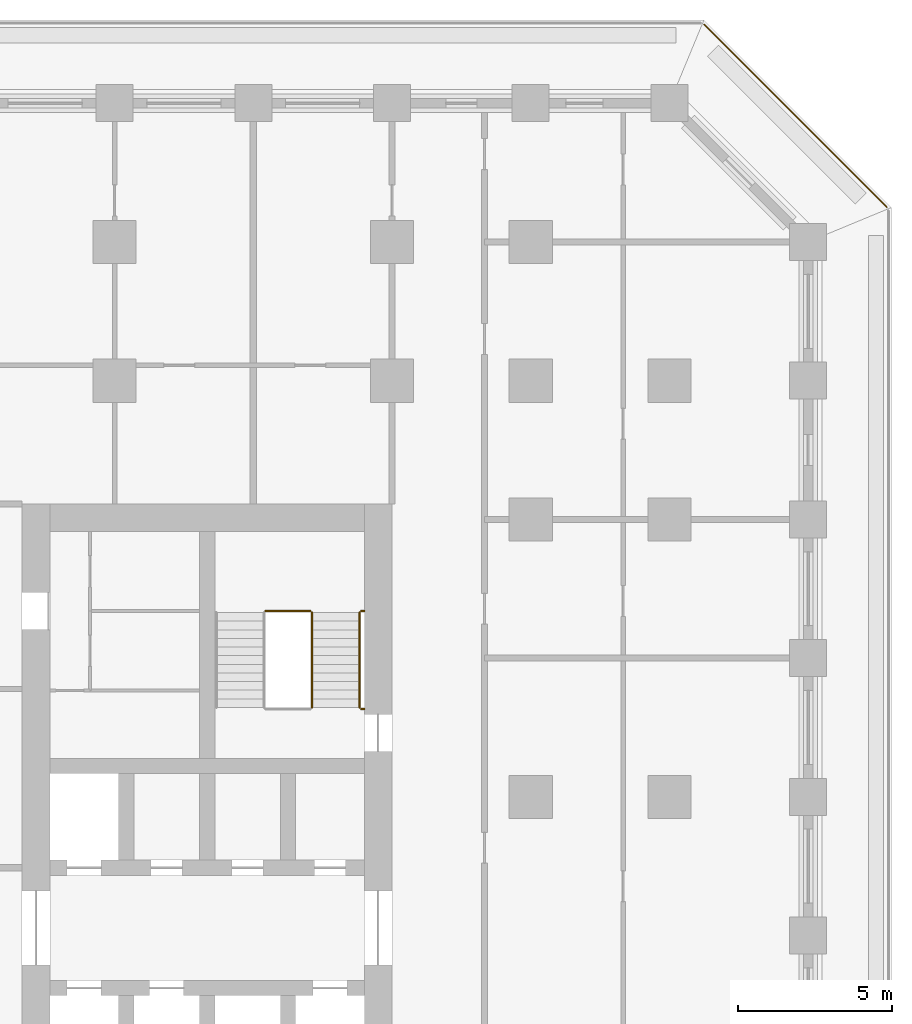
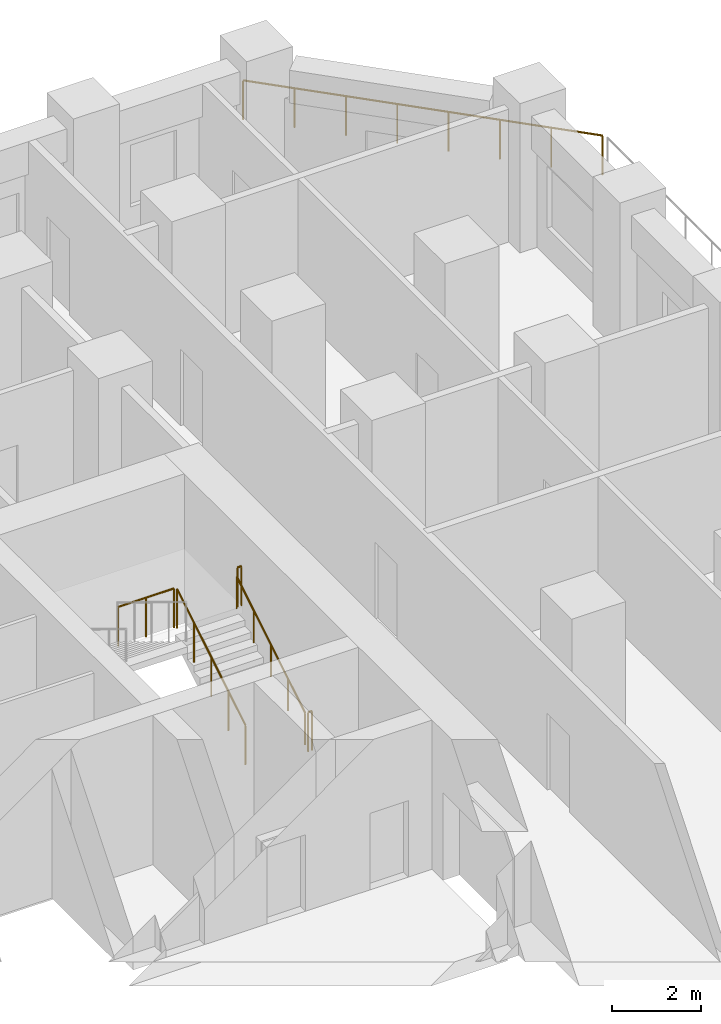
# One storey, part 17 of 18: 6 railings.
"""IFC4 building model written with IfcOpenShell, lengths in metres."""

from ifc_helpers import new_model, si_unit, direction, frame, origin, origin_2d, place, context, subcontext, project, spatial, circle, extrude, material, type_object, element, save


model = new_model("IFC4")

# Units and contexts
model_context = context("Model", 3, precision=1e-05, world=origin(), true_north=direction((0.0, 1.0)))
body_context = subcontext(model_context, "Body", "Model", "MODEL_VIEW")
ifc_project = project(units=[si_unit("LENGTHUNIT", "METRE"), si_unit("AREAUNIT", "SQUARE_METRE"), si_unit("VOLUMEUNIT", "CUBIC_METRE"), si_unit("PLANEANGLEUNIT", "RADIAN"), si_unit("MASSUNIT", "GRAM", prefix="KILO")], contexts=[model_context])

# Site, building, storey
site_placement = place(None, origin())
site = spatial("IfcSite", under=ifc_project, at=site_placement, CompositionType="ELEMENT")
building_placement = place(site_placement, origin())
building = spatial("IfcBuilding", under=site, at=building_placement, Name="Corbel Stack Research Tower", CompositionType="ELEMENT")
storey_placement = place(building_placement, frame((0.0, 0.0, 102.5)))
storey = spatial("IfcBuildingStorey", under=building, at=storey_placement, Name="L23", CompositionType="ELEMENT", Elevation=102.5)

# Railings
ifc_material_1 = material(Name="Steel S355", Category="steel")
railing_type_1 = type_object("IfcRailingType", Name="Stair guard 1100", PredefinedType="GUARDRAIL", material=ifc_material_1)
railing_1_placement = place(storey_placement, frame((15.39990234375, 11.89990234375, 0.1708984375)))
element("IfcRailing", 1, at=railing_1_placement, inside=storey, type_object=railing_type_1, Name="L23 ST-E2 stair guard 1", PredefinedType="GUARDRAIL", context=body_context, shape_type="SweptSolid", body=[
    extrude(circle(Radius=0.02392578125, at=origin_2d()), frame((0.0, 0.0, 1.076171875), z_axis=(0.0, 0.853666305674, 0.52082035152), x_axis=(-1.0, 0.0, 0.0)), (0.0, 0.0, 1.0), 3.608154296875),
    extrude(circle(Radius=0.02099609375, at=origin_2d()), origin(), (0.0, 0.0, 1.0), 1.052001953125),
    extrude(circle(Radius=0.02099609375, at=origin_2d()), frame((0.0, 0.77001953125, 0.4697265625)), (0.0, 0.0, 1.0), 1.052001953125),
    extrude(circle(Radius=0.02099609375, at=origin_2d()), frame((0.0, 1.5400390625, 0.939453125)), (0.0, 0.0, 1.0), 1.052001953125),
    extrude(circle(Radius=0.02099609375, at=origin_2d()), frame((0.0, 2.31005859375, 1.409423828125)), (0.0, 0.0, 1.0), 1.052001953125),
    extrude(circle(Radius=0.02099609375, at=origin_2d()), frame((0.0, 3.080078125, 1.879150390625)), (0.0, 0.0, 1.0), 1.052001953125),
])
railing_2_placement = place(storey_placement, frame((15.35009765625, 15.030029296875, 2.050048828125)))
element("IfcRailing", 2, at=railing_2_placement, inside=storey, type_object=railing_type_1, Name="L23 ST-E2 stair guard 2", PredefinedType="GUARDRAIL", context=body_context, shape_type="SweptSolid", body=[
    extrude(circle(Radius=0.02392578125, at=origin_2d()), frame((0.0, 0.0, 1.076171875), z_axis=(-1.0, 0.0, 0.0), x_axis=(0.0, -1.0, 0.0)), (0.0, 0.0, 1.0), 1.4501953125),
    extrude(circle(Radius=0.02099609375, at=origin_2d()), origin(), (0.0, 0.0, 1.0), 1.052001953125),
    extrude(circle(Radius=0.02099609375, at=origin_2d()), frame((-0.72509765625, 0.0, 0.0)), (0.0, 0.0, 1.0), 1.052001953125),
    extrude(circle(Radius=0.02099609375, at=origin_2d()), frame((-1.4501953125, 0.0, 0.0)), (0.0, 0.0, 1.0), 1.052001953125),
])
for number, where, name in (
    (3, (17.10009765625, 15.030029296875, 2.050048828125), "L23 ST-E2 stair guard 3"),
    (4, (17.10009765625, 11.85009765625, 0.0), "L23 ST-E2 stair guard 6"),
):
    element("IfcRailing", number, at=place(storey_placement, frame(where)), inside=storey, type_object=railing_type_1, Name=name, PredefinedType="GUARDRAIL", context=body_context, shape_type="SweptSolid", body=[
        extrude(circle(Radius=0.02392578125, at=origin_2d()), frame((0.0, 0.0, 1.076171875), z_axis=(-1.0, 0.0, 0.0), x_axis=(0.0, -1.0, 0.0)), (0.0, 0.0, 1.0), 0.10009765625),
        extrude(circle(Radius=0.02099609375, at=origin_2d()), origin(), (0.0, 0.0, 1.0), 1.052001953125),
        extrude(circle(Radius=0.02099609375, at=origin_2d()), frame((-0.10009765625, 0.0, 0.0)), (0.0, 0.0, 1.0), 1.052001953125),
    ])
ifc_material_2 = material(Name="Steel S355", Category="steel")
railing_type_2 = type_object("IfcRailingType", Name="Stair handrail 900", PredefinedType="HANDRAIL", material=ifc_material_2)
railing_3_placement = place(storey_placement, frame((16.949951171875, 11.89990234375, 0.1708984375)))
element("IfcRailing", 5, at=railing_3_placement, inside=storey, type_object=railing_type_2, Name="L23 ST-E2 stair handrail 1", PredefinedType="HANDRAIL", context=body_context, shape_type="SweptSolid", body=[
    extrude(circle(Radius=0.02392578125, at=origin_2d()), frame((0.0, 0.0, 0.8759765625), z_axis=(0.0, 0.853666305674, 0.52082035152), x_axis=(-1.0, 0.0, 0.0)), (0.0, 0.0, 1.0), 3.608154296875),
    extrude(circle(Radius=0.02099609375, at=origin_2d()), origin(), (0.0, 0.0, 1.0), 0.851806640625),
    extrude(circle(Radius=0.02099609375, at=origin_2d()), frame((0.0, 0.77001953125, 0.4697265625)), (0.0, 0.0, 1.0), 0.851806640625),
    extrude(circle(Radius=0.02099609375, at=origin_2d()), frame((0.0, 1.5400390625, 0.939453125)), (0.0, 0.0, 1.0), 0.851806640625),
    extrude(circle(Radius=0.02099609375, at=origin_2d()), frame((0.0, 2.31005859375, 1.409423828125)), (0.0, 0.0, 1.0), 0.851806640625),
    extrude(circle(Radius=0.02099609375, at=origin_2d()), frame((0.0, 3.080078125, 1.879150390625)), (0.0, 0.0, 1.0), 0.851806640625),
])
ifc_material_3 = material(Name="Powder-coated steel guard", Category="steel")
railing_type_3 = type_object("IfcRailingType", Name="Steel and glass guard 1100", PredefinedType="GUARDRAIL", material=ifc_material_3)
railing_4_placement = place(storey_placement, frame((34.04931640625, 28.127685546875, 0.0)))
element("IfcRailing", 6, at=railing_4_placement, inside=storey, type_object=railing_type_3, Name="Loggia guard L23 NE", PredefinedType="GUARDRAIL", context=body_context, shape_type="SweptSolid", body=[
    extrude(circle(Radius=0.02392578125, at=origin_2d()), frame((0.0, 0.0, 1.076171875), z_axis=(-0.707106781187, 0.707106781187, 0.0), x_axis=(-0.707106781187, -0.707106781187, 0.0)), (0.0, 0.0, 1.0), 8.37451171875),
    extrude(circle(Radius=0.02099609375, at=origin_2d()), origin(), (0.0, 0.0, 1.0), 1.052001953125),
    extrude(circle(Radius=0.02099609375, at=origin_2d()), frame((-0.845947265625, 0.845947265625, 0.0)), (0.0, 0.0, 1.0), 1.052001953125),
    extrude(circle(Radius=0.02099609375, at=origin_2d()), frame((-1.69189453125, 1.69189453125, 0.0)), (0.0, 0.0, 1.0), 1.052001953125),
    extrude(circle(Radius=0.02099609375, at=origin_2d()), frame((-2.537841796875, 2.537841796875, 0.0)), (0.0, 0.0, 1.0), 1.052001953125),
    extrude(circle(Radius=0.02099609375, at=origin_2d()), frame((-3.3837890625, 3.3837890625, 0.0)), (0.0, 0.0, 1.0), 1.052001953125),
    extrude(circle(Radius=0.02099609375, at=origin_2d()), frame((-4.229736328125, 4.229736328125, 0.0)), (0.0, 0.0, 1.0), 1.052001953125),
    extrude(circle(Radius=0.02099609375, at=origin_2d()), frame((-5.07568359375, 5.07568359375, 0.0)), (0.0, 0.0, 1.0), 1.052001953125),
    extrude(circle(Radius=0.02099609375, at=origin_2d()), frame((-5.921630859375, 5.921630859375, 0.0)), (0.0, 0.0, 1.0), 1.052001953125),
])

save(model, "model.ifc")
